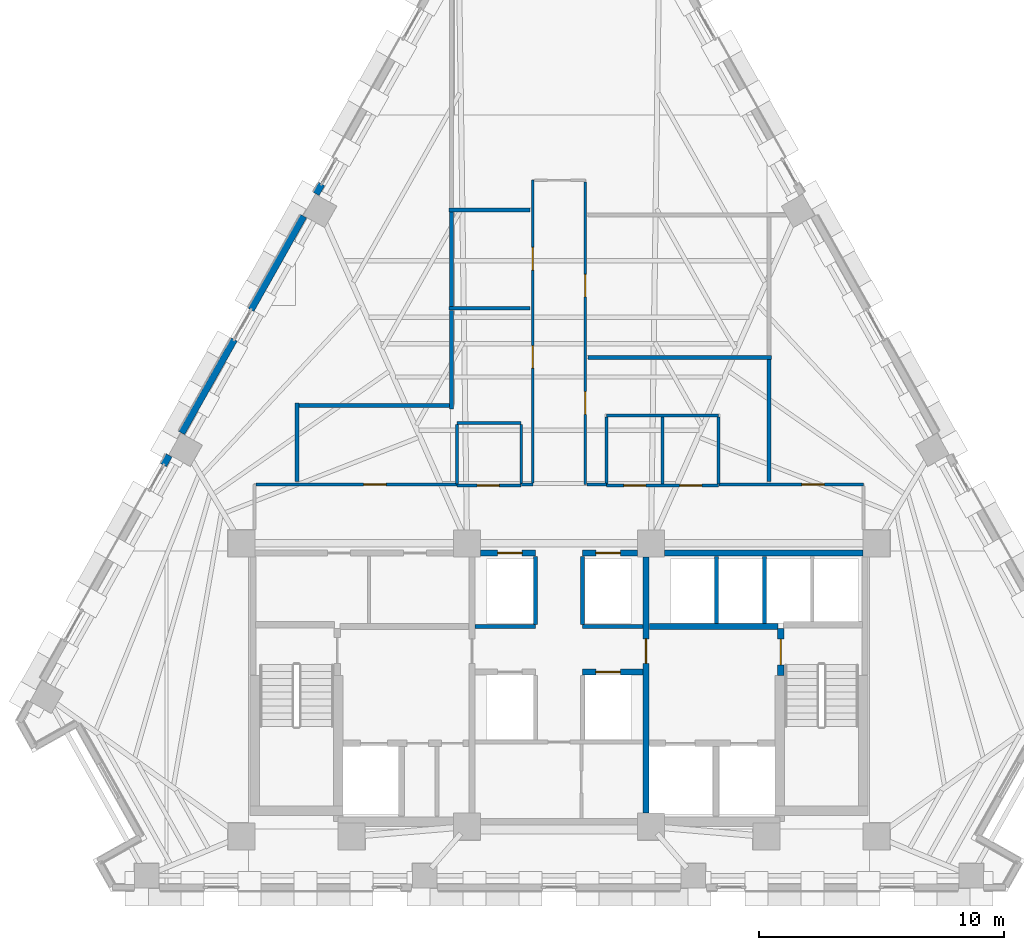
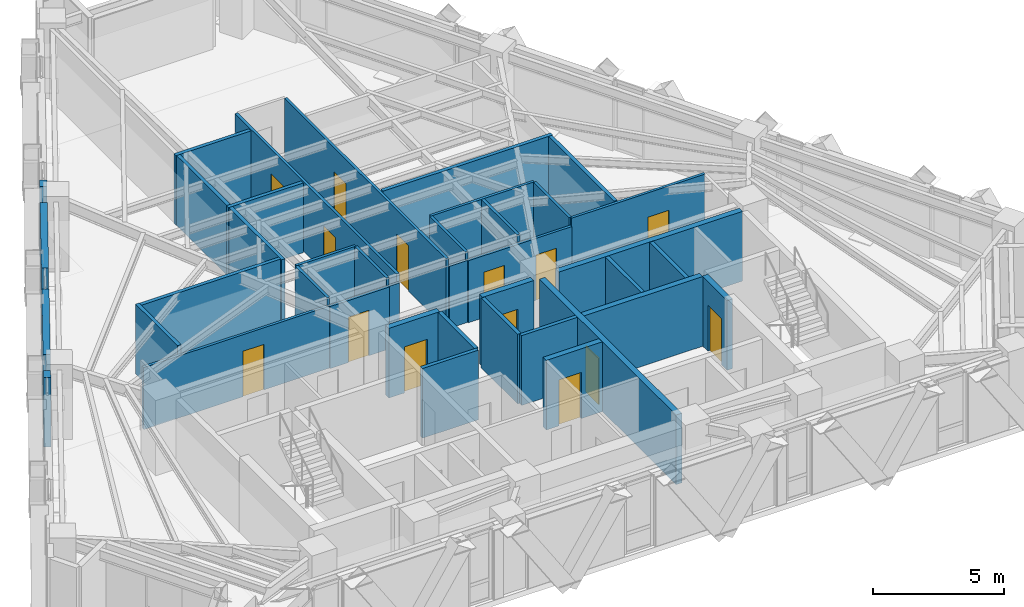
# One storey, part 8 of 13: 40 walls, 14 doors, 14 openings.
"""IFC4 building model written with IfcOpenShell, lengths in metres."""

from ifc_helpers import new_model, si_unit, direction, frame, frame_2d, origin, place, context, subcontext, project, spatial, rectangle, extrude, material, layer, layer_set, type_object, element, fill, save


model = new_model("IFC4")

# Units and contexts
model_context = context("Model", 3, precision=1e-05, world=origin(), true_north=direction((0.0, 1.0)))
body_context = subcontext(model_context, "Body", "Model", "MODEL_VIEW")
ifc_project = project(units=[si_unit("LENGTHUNIT", "METRE"), si_unit("AREAUNIT", "SQUARE_METRE"), si_unit("VOLUMEUNIT", "CUBIC_METRE"), si_unit("PLANEANGLEUNIT", "RADIAN"), si_unit("MASSUNIT", "GRAM", prefix="KILO")], contexts=[model_context])

# Site, building, storey
site_placement = place(None, origin())
site = spatial("IfcSite", under=ifc_project, at=site_placement, CompositionType="ELEMENT")
building_placement = place(site_placement, origin())
building = spatial("IfcBuilding", under=site, at=building_placement, Name="Quenlor Broadcast Tower", CompositionType="ELEMENT")
storey_placement = place(building_placement, frame((0.0, 0.0, 151.0)))
storey = spatial("IfcBuildingStorey", under=building, at=storey_placement, Name="L41", CompositionType="ELEMENT", Elevation=151.0)

# Wall, opening, door
ifc_material_1 = material(Name="Concrete C40/50", Category="concrete")
ifc_layer_1 = layer(ifc_material_1, 0.25)
ifc_layer_set_1 = layer_set([ifc_layer_1], Name="Fire Rated Concrete C40/50 Core Wall 250")
wall_type_1 = type_object("IfcWallType", Name="Fire Rated Concrete C40/50 Core Wall 250", PredefinedType="PARTITIONING", material=ifc_layer_set_1)
wall_1_placement = place(storey_placement, frame((9.0400390625, -10.179931640625, 0.0), z_axis=(0.0, 0.0, 1.0), x_axis=(0.0, 1.0, 0.0)))
wall_1 = element("IfcWall", 1, at=wall_1_placement, inside=storey, type_object=wall_type_1, Name="L41 Interior Wall CW-ST2-DR", PredefinedType="PARTITIONING", context=body_context, shape_type="SweptSolid", body=[
    extrude(rectangle(XDim=1.89990234375, YDim=0.25, at=frame_2d((0.949951171875, 0.0))), origin(), (0.0, 0.0, 1.0), 3.25),
])
opening_1_placement = place(wall_1_placement, frame((0.419921875, 0.0, 0.0)))
opening_1 = element("IfcOpeningElement", 2, at=opening_1_placement, cuts=wall_1, Name="Opening FD-1", PredefinedType="OPENING", context=body_context, shape_type="SweptSolid", body=[
    extrude(rectangle(XDim=1.050048828125, YDim=2.14990234375, at=frame_2d((0.52490234375, 1.074951171875))), frame((0.0, 0.135009765625, 0.0), z_axis=(0.0, -1.0, 0.0), x_axis=(1.0, 0.0, 0.0)), (0.0, 0.0, 1.0), 0.27001953125),
])
ifc_material_2 = material(Name="Fire Rated Steel Door Leaf", Category="steel")
door_type_1 = type_object("IfcDoorType", Name="Fire Isolated Stair Door 1050x2150", OperationType="NOTDEFINED", PredefinedType="DOOR", material=ifc_material_2)
door_1_placement = place(opening_1_placement, origin())
door_1 = element("IfcDoor", 3, at=door_1_placement, inside=storey, type_object=door_type_1, Name="L41 Door DR-ST2", OperationType="SINGLE_SWING_RIGHT", OverallHeight=2.14990234375, OverallWidth=1.050048828125, PredefinedType="DOOR", context=body_context, shape_type="SweptSolid", body=[
    extrude(rectangle(XDim=1.050048828125, YDim=2.14990234375, at=frame_2d((0.52490234375, 1.074951171875))), frame((0.0, 0.02490234375, 0.0), z_axis=(0.0, -1.0, 0.0), x_axis=(1.0, 0.0, 0.0)), (0.0, 0.0, 1.0), 0.050048828125),
])
fill(opening_1, door_1)

# Wall
wall_2_placement = place(storey_placement, frame((3.679931640625, -8.199951171875, 0.0), z_axis=(0.0, 0.0, 1.0), x_axis=(1.0, 0.0, 0.0)))
element("IfcWall", 4, at=wall_2_placement, inside=storey, type_object=wall_type_1, Name="L41 Interior Wall CW-FFE-N", PredefinedType="PARTITIONING", context=body_context, shape_type="SweptSolid", body=[
    extrude(rectangle(XDim=5.239990234375, YDim=0.25, at=frame_2d((2.6201171875, 0.0))), origin(), (0.0, 0.0, 1.0), 3.25),
])

# Wall, opening, door
wall_3_placement = place(storey_placement, frame((3.550048828125, -15.798095703125, 0.0), z_axis=(0.0, 0.0, 1.0), x_axis=(0.0, 1.0, 0.0)))
wall_3 = element("IfcWall", 5, at=wall_3_placement, inside=storey, type_object=wall_type_1, Name="L41 Interior Wall CW-FFE-W", PredefinedType="PARTITIONING", context=body_context, shape_type="SweptSolid", body=[
    extrude(rectangle(XDim=10.446044921875, YDim=0.25, at=frame_2d((5.22314453125, 0.0))), origin(), (0.0, 0.0, 1.0), 3.25),
])
opening_2_placement = place(wall_3_placement, frame((6.097900390625, 0.0, 0.0)))
opening_2 = element("IfcOpeningElement", 6, at=opening_2_placement, cuts=wall_3, Name="Opening FD-2", PredefinedType="OPENING", context=body_context, shape_type="SweptSolid", body=[
    extrude(rectangle(XDim=1.0, YDim=2.14990234375, at=frame_2d((0.5, 1.074951171875))), frame((0.0, 0.135009765625, 0.0), z_axis=(0.0, -1.0, 0.0), x_axis=(1.0, 0.0, 0.0)), (0.0, 0.0, 1.0), 0.27001953125),
])
ifc_material_3 = material(Name="Fire Rated Glazed Steel Door", Category="steel")
door_type_2 = type_object("IfcDoorType", Name="Firefighting Lobby Smoke Door 1000x2150", OperationType="NOTDEFINED", PredefinedType="DOOR", material=ifc_material_3)
door_2_placement = place(opening_2_placement, origin())
door_2 = element("IfcDoor", 7, at=door_2_placement, inside=storey, type_object=door_type_2, Name="L41 Door DR-FFLE", OperationType="SINGLE_SWING_LEFT", OverallHeight=2.14990234375, OverallWidth=1.0, PredefinedType="DOOR", context=body_context, shape_type="SweptSolid", body=[
    extrude(rectangle(XDim=1.0, YDim=2.14990234375, at=frame_2d((0.5, 1.074951171875))), frame((0.0, 0.02490234375, 0.0), z_axis=(0.0, -1.0, 0.0), x_axis=(1.0, 0.0, 0.0)), (0.0, 0.0, 1.0), 0.050048828125),
])
fill(opening_2, door_2)

# Wall
wall_4_placement = place(storey_placement, frame((4.302001953125, -5.199951171875, 0.0), z_axis=(0.0, 0.0, 1.0), x_axis=(1.0, 0.0, 0.0)))
element("IfcWall", 8, at=wall_4_placement, inside=storey, type_object=wall_type_1, Name="L41 Interior Wall CW-N-E", PredefinedType="PARTITIONING", context=body_context, shape_type="SweptSolid", body=[
    extrude(rectangle(XDim=8.095947265625, YDim=0.25, at=frame_2d((4.0478515625, 0.0))), origin(), (0.0, 0.0, 1.0), 3.25),
])

# Wall, opening, door
wall_5_placement = place(storey_placement, frame((-3.197998046875, -5.199951171875, 0.0), z_axis=(0.0, 0.0, 1.0), x_axis=(1.0, 0.0, 0.0)))
wall_5 = element("IfcWall", 9, at=wall_5_placement, inside=storey, type_object=wall_type_1, Name="L41 Interior Wall CW-N-M1", PredefinedType="PARTITIONING", context=body_context, shape_type="SweptSolid", body=[
    extrude(rectangle(XDim=2.248046875, YDim=0.25, at=frame_2d((1.1240234375, 0.0))), origin(), (0.0, 0.0, 1.0), 3.25),
])
opening_3_placement = place(wall_5_placement, frame((0.697998046875, 0.0, 0.0)))
opening_3 = element("IfcOpeningElement", 10, at=opening_3_placement, cuts=wall_5, Name="Opening LD-PL-M1", PredefinedType="OPENING", context=body_context, shape_type="SweptSolid", body=[
    extrude(rectangle(XDim=1.0, YDim=2.14990234375, at=frame_2d((0.5, 1.074951171875))), frame((0.0, 0.135009765625, 0.0), z_axis=(0.0, -1.0, 0.0), x_axis=(1.0, 0.0, 0.0)), (0.0, 0.0, 1.0), 0.27001953125),
])
ifc_material_4 = material(Name="Brushed Stainless Steel", Category="steel")
door_type_3 = type_object("IfcDoorType", Name="Passenger Lift Sliding Landing Door 1000x2150", OperationType="NOTDEFINED", PredefinedType="DOOR", material=ifc_material_4)
door_3_placement = place(opening_3_placement, origin())
door_3 = element("IfcDoor", 11, at=door_3_placement, inside=storey, type_object=door_type_3, Name="L41 Door LD-PL-M1", OperationType="SLIDING_TO_LEFT", OverallHeight=2.14990234375, OverallWidth=1.0, PredefinedType="DOOR", context=body_context, shape_type="SweptSolid", body=[
    extrude(rectangle(XDim=1.0, YDim=2.14990234375, at=frame_2d((0.5, 1.074951171875))), frame((0.0, 0.02490234375, 0.0), z_axis=(0.0, -1.0, 0.0), x_axis=(1.0, 0.0, 0.0)), (0.0, 0.0, 1.0), 0.050048828125),
])
fill(opening_3, door_3)

wall_6_placement = place(storey_placement, frame((0.949951171875, -5.199951171875, 0.0), z_axis=(0.0, 0.0, 1.0), x_axis=(1.0, 0.0, 0.0)))
wall_6 = element("IfcWall", 12, at=wall_6_placement, inside=storey, type_object=wall_type_1, Name="L41 Interior Wall CW-N-M2", PredefinedType="PARTITIONING", context=body_context, shape_type="SweptSolid", body=[
    extrude(rectangle(XDim=2.248046875, YDim=0.25, at=frame_2d((1.1240234375, 0.0))), origin(), (0.0, 0.0, 1.0), 3.25),
])
opening_4_placement = place(wall_6_placement, frame((0.550048828125, 0.0, 0.0)))
opening_4 = element("IfcOpeningElement", 13, at=opening_4_placement, cuts=wall_6, Name="Opening LD-PL-M2", PredefinedType="OPENING", context=body_context, shape_type="SweptSolid", body=[
    extrude(rectangle(XDim=1.0, YDim=2.14990234375, at=frame_2d((0.5, 1.074951171875))), frame((0.0, 0.135009765625, 0.0), z_axis=(0.0, -1.0, 0.0), x_axis=(1.0, 0.0, 0.0)), (0.0, 0.0, 1.0), 0.27001953125),
])
door_4_placement = place(opening_4_placement, origin())
door_4 = element("IfcDoor", 14, at=door_4_placement, inside=storey, type_object=door_type_3, Name="L41 Door LD-PL-M2", OperationType="SLIDING_TO_RIGHT", OverallHeight=2.14990234375, OverallWidth=1.0, PredefinedType="DOOR", context=body_context, shape_type="SweptSolid", body=[
    extrude(rectangle(XDim=1.0, YDim=2.14990234375, at=frame_2d((0.5, 1.074951171875))), frame((0.0, 0.02490234375, 0.0), z_axis=(0.0, -1.0, 0.0), x_axis=(1.0, 0.0, 0.0)), (0.0, 0.0, 1.0), 0.050048828125),
])
fill(opening_4, door_4)

wall_7_placement = place(storey_placement, frame((0.949951171875, -10.050048828125, 0.0), z_axis=(0.0, 0.0, 1.0), x_axis=(1.0, 0.0, 0.0)))
wall_7 = element("IfcWall", 15, at=wall_7_placement, inside=storey, type_object=wall_type_1, Name="L41 Interior Wall CW-MS-N2", PredefinedType="PARTITIONING", context=body_context, shape_type="SweptSolid", body=[
    extrude(rectangle(XDim=2.469970703125, YDim=0.25, at=frame_2d((1.23486328125, 0.0))), origin(), (0.0, 0.0, 1.0), 3.25),
])
opening_5_placement = place(wall_7_placement, frame((0.550048828125, 0.0, 0.0)))
opening_5 = element("IfcOpeningElement", 16, at=opening_5_placement, cuts=wall_7, Name="Opening LD-PL-M4", PredefinedType="OPENING", context=body_context, shape_type="SweptSolid", body=[
    extrude(rectangle(XDim=1.0, YDim=2.14990234375, at=frame_2d((0.5, 1.074951171875))), frame((0.0, 0.135009765625, 0.0), z_axis=(0.0, -1.0, 0.0), x_axis=(1.0, 0.0, 0.0)), (0.0, 0.0, 1.0), 0.27001953125),
])
door_5_placement = place(opening_5_placement, origin())
door_5 = element("IfcDoor", 17, at=door_5_placement, inside=storey, type_object=door_type_3, Name="L41 Door LD-PL-M4", OperationType="SLIDING_TO_RIGHT", OverallHeight=2.14990234375, OverallWidth=1.0, PredefinedType="DOOR", context=body_context, shape_type="SweptSolid", body=[
    extrude(rectangle(XDim=1.0, YDim=2.14990234375, at=frame_2d((0.5, 1.074951171875))), frame((0.0, 0.02490234375, 0.0), z_axis=(0.0, -1.0, 0.0), x_axis=(1.0, 0.0, 0.0)), (0.0, 0.0, 1.0), 0.050048828125),
])
fill(opening_5, door_5)

# Walls
ifc_material_5 = material(Name="Gypsum Fireboard Partition", Category="other")
ifc_layer_2 = layer(ifc_material_5, 0.159912109375)
ifc_layer_set_2 = layer_set([ifc_layer_2], Name="Fire Rated Shaft and Corridor Partition 160")
wall_type_2 = type_object("IfcWallType", Name="Fire Rated Shaft and Corridor Partition 160", PredefinedType="PARTITIONING", material=ifc_layer_set_2)
for number, where, z_axis, x_axis, name in (
    (18, (6.425048828125, -8.072998046875, 0.0), (0.0, 0.0, 1.0), (0.0, 1.0, 0.0), "L41 Interior Wall CW-PLH-D1"),
    (19, (8.375, -8.072998046875, 0.0), (0.0, 0.0, 1.0), (0.0, 1.0, 0.0), "L41 Interior Wall CW-PLH-D2"),
):
    element("IfcWall", number, at=place(storey_placement, frame(where, z_axis=z_axis, x_axis=x_axis)), inside=storey, type_object=wall_type_2, Name=name, PredefinedType="PARTITIONING", context=body_context, shape_type="SweptSolid", body=[
        extrude(rectangle(XDim=2.73291015625, YDim=0.159912109375, at=frame_2d((1.366455078125, 0.0))), origin(), (0.0, 0.0, 1.0), 3.25),
    ])
for number, where, z_axis, x_axis, name in (
    (20, (-0.949951171875, -8.1201171875, 0.0), (0.0, 0.0, 1.0), (0.0, 1.0, 0.0), "L41 Interior Wall CW-CCRP-W"),
    (21, (0.949951171875, -8.1201171875, 0.0), (0.0, 0.0, 1.0), (0.0, 1.0, 0.0), "L41 Interior Wall CW-CCRP-E"),
):
    element("IfcWall", number, at=place(storey_placement, frame(where, z_axis=z_axis, x_axis=x_axis)), inside=storey, type_object=wall_type_2, Name=name, PredefinedType="PARTITIONING", context=body_context, shape_type="SweptSolid", body=[
        extrude(rectangle(XDim=2.780029296875, YDim=0.159912109375, at=frame_2d((1.39013671875, 0.0))), origin(), (0.0, 0.0, 1.0), 3.25),
    ])
for number, where, z_axis, x_axis, name in (
    (22, (-3.419921875, -8.199951171875, 0.0), (0.0, 0.0, 1.0), (1.0, 0.0, 0.0), "L41 Interior Wall CW-M-BACK1"),
    (23, (0.949951171875, -8.199951171875, 0.0), (0.0, 0.0, 1.0), (1.0, 0.0, 0.0), "L41 Interior Wall CW-M-BACK2"),
):
    element("IfcWall", number, at=place(storey_placement, frame(where, z_axis=z_axis, x_axis=x_axis)), inside=storey, type_object=wall_type_2, Name=name, PredefinedType="PARTITIONING", context=body_context, shape_type="SweptSolid", body=[
        extrude(rectangle(XDim=2.469970703125, YDim=0.159912109375, at=frame_2d((1.23486328125, 0.0))), origin(), (0.0, 0.0, 1.0), 3.25),
    ])
for number, where, z_axis, x_axis, name in (
    (24, (-1.179931640625, 8.780029296875, 0.0), (0.0, 0.0, 1.0), (-1.0, 0.0, 0.0), "L41 Interior Wall PW-DV-01"),
    (25, (-1.179931640625, 4.780029296875, 0.0), (0.0, 0.0, 1.0), (-1.0, 0.0, 0.0), "L41 Interior Wall PW-DV-04"),
):
    element("IfcWall", number, at=place(storey_placement, frame(where, z_axis=z_axis, x_axis=x_axis)), inside=storey, type_object=wall_type_2, Name=name, PredefinedType="PARTITIONING", context=body_context, shape_type="SweptSolid", body=[
        extrude(rectangle(XDim=3.300048828125, YDim=0.159912109375, at=frame_2d((1.64990234375, 0.0))), origin(), (0.0, 0.0, 1.0), 3.25),
    ])
wall_8_placement = place(storey_placement, frame((-4.3798828125, 4.862060546875, 0.0), z_axis=(0.0, 0.0, 1.0), x_axis=(0.0, 1.0, 0.0)))
element("IfcWall", 26, at=wall_8_placement, inside=storey, type_object=wall_type_2, Name="L41 Interior Wall PW-DV-05", PredefinedType="PARTITIONING", context=body_context, shape_type="SweptSolid", body=[
    extrude(rectangle(XDim=3.8359375, YDim=0.159912109375, at=frame_2d((1.91796875, 0.0))), origin(), (0.0, 0.0, 1.0), 3.25),
])
wall_9_placement = place(storey_placement, frame((8.659912109375, 2.780029296875, 0.0), z_axis=(0.0, 0.0, 1.0), x_axis=(-1.0, 0.0, 0.0)))
element("IfcWall", 27, at=wall_9_placement, inside=storey, type_object=wall_type_2, Name="L41 Interior Wall PW-DV-06", PredefinedType="PARTITIONING", context=body_context, shape_type="SweptSolid", body=[
    extrude(rectangle(XDim=7.47998046875, YDim=0.159912109375, at=frame_2d((3.739990234375, 0.0))), origin(), (0.0, 0.0, 1.0), 3.25),
])
wall_10_placement = place(storey_placement, frame((-4.3798828125, 0.679931640625, 0.0), z_axis=(0.0, 0.0, 1.0), x_axis=(0.0, 1.0, 0.0)))
element("IfcWall", 28, at=wall_10_placement, inside=storey, type_object=wall_type_2, Name="L41 Interior Wall PW-DV-08", PredefinedType="PARTITIONING", context=body_context, shape_type="SweptSolid", body=[
    extrude(rectangle(XDim=4.01806640625, YDim=0.159912109375, at=frame_2d((2.009033203125, 0.0))), origin(), (0.0, 0.0, 1.0), 3.25),
])
wall_11_placement = place(storey_placement, frame((8.56005859375, 2.697998046875, 0.0), z_axis=(0.0, 0.0, 1.0), x_axis=(0.0, -1.0, 0.0)))
element("IfcWall", 29, at=wall_11_placement, inside=storey, type_object=wall_type_2, Name="L41 Interior Wall PW-DV-09", PredefinedType="PARTITIONING", context=body_context, shape_type="SweptSolid", body=[
    extrude(rectangle(XDim=4.988037109375, YDim=0.159912109375, at=frame_2d((2.494140625, 0.0))), origin(), (0.0, 0.0, 1.0), 3.25),
])
wall_12_placement = place(storey_placement, frame((-10.679931640625, -2.2900390625, 0.0), z_axis=(0.0, 0.0, 1.0), x_axis=(0.0, 1.0, 0.0)))
element("IfcWall", 30, at=wall_12_placement, inside=storey, type_object=wall_type_2, Name="L41 Interior Wall PW-DV-10", PredefinedType="PARTITIONING", context=body_context, shape_type="SweptSolid", body=[
    extrude(rectangle(XDim=3.2099609375, YDim=0.159912109375, at=frame_2d((1.60498046875, 0.0))), origin(), (0.0, 0.0, 1.0), 3.25),
])
wall_13_placement = place(storey_placement, frame((-10.597900390625, 0.820068359375, 0.0), z_axis=(0.0, 0.0, 1.0), x_axis=(1.0, 0.0, 0.0)))
element("IfcWall", 31, at=wall_13_placement, inside=storey, type_object=wall_type_2, Name="L41 Interior Wall PW-DV-11", PredefinedType="PARTITIONING", context=body_context, shape_type="SweptSolid", body=[
    extrude(rectangle(XDim=6.135986328125, YDim=0.159912109375, at=frame_2d((3.06787109375, 0.0))), origin(), (0.0, 0.0, 1.0), 3.25),
])

# Wall, opening, door
ifc_material_6 = material(Name="Gypsum Plasterboard Partition", Category="other")
ifc_layer_3 = layer(ifc_material_6, 0.1201171875)
ifc_layer_set_3 = layer_set([ifc_layer_3], Name="Standard Office Partition 120")
wall_type_3 = type_object("IfcWallType", Name="Standard Office Partition 120", PredefinedType="PARTITIONING", material=ifc_layer_set_3)
wall_14_placement = place(storey_placement, frame((-4.159912109375, -2.43994140625, 0.0), z_axis=(0.0, 0.0, 1.0), x_axis=(1.0, 0.0, 0.0)))
wall_14 = element("IfcWall", 32, at=wall_14_placement, inside=storey, type_object=wall_type_3, Name="L41 Interior Wall PW-AWC-S", PredefinedType="PARTITIONING", context=body_context, shape_type="SweptSolid", body=[
    extrude(rectangle(XDim=2.619873046875, YDim=0.1201171875, at=frame_2d((1.31005859375, 0.0))), origin(), (0.0, 0.0, 1.0), 2.891357421875),
])
opening_6_placement = place(wall_14_placement, frame((0.820068359375, 0.0, 0.0)))
opening_6 = element("IfcOpeningElement", 33, at=opening_6_placement, cuts=wall_14, Name="Opening ID-3", PredefinedType="OPENING", context=body_context, shape_type="SweptSolid", body=[
    extrude(rectangle(XDim=0.89990234375, YDim=2.1201171875, at=frame_2d((0.449951171875, 1.06005859375))), frame((0.0, 0.070068359375, 0.0), z_axis=(0.0, -1.0, 0.0), x_axis=(1.0, 0.0, 0.0)), (0.0, 0.0, 1.0), 0.14013671875),
])
ifc_material_7 = material(Name="Moisture Resistant Timber Oak", Category="wood")
door_type_4 = type_object("IfcDoorType", Name="Washroom Privacy Door 900x2120", OperationType="NOTDEFINED", PredefinedType="DOOR", material=ifc_material_7)
door_6_placement = place(opening_6_placement, origin())
door_6 = element("IfcDoor", 34, at=door_6_placement, inside=storey, type_object=door_type_4, Name="L41 Door DR-AWC", OperationType="SINGLE_SWING_LEFT", OverallHeight=2.1201171875, OverallWidth=0.89990234375, PredefinedType="DOOR", context=body_context, shape_type="SweptSolid", body=[
    extrude(rectangle(XDim=0.89990234375, YDim=2.1201171875, at=frame_2d((0.449951171875, 1.06005859375))), frame((0.0, 0.02490234375, 0.0), z_axis=(0.0, -1.0, 0.0), x_axis=(1.0, 0.0, 0.0)), (0.0, 0.0, 1.0), 0.050048828125),
])
fill(opening_6, door_6)

# Walls
wall_15_placement = place(storey_placement, frame((-4.159912109375, 0.110107421875, 0.0), z_axis=(0.0, 0.0, 1.0), x_axis=(1.0, 0.0, 0.0)))
element("IfcWall", 35, at=wall_15_placement, inside=storey, type_object=wall_type_3, Name="L41 Interior Wall PW-AWC-N", PredefinedType="PARTITIONING", context=body_context, shape_type="SweptSolid", body=[
    extrude(rectangle(XDim=2.619873046875, YDim=0.1201171875, at=frame_2d((1.31005859375, 0.0))), origin(), (0.0, 0.0, 1.0), 3.25),
])
for number, where, z_axis, x_axis, name in (
    (36, (-4.159912109375, -2.3779296875, 0.0), (0.0, 0.0, 1.0), (0.0, 1.0, 0.0), "L41 Interior Wall PW-AWC-W"),
    (37, (-1.5400390625, -2.3779296875, 0.0), (0.0, 0.0, 1.0), (0.0, 1.0, 0.0), "L41 Interior Wall PW-AWC-E"),
):
    element("IfcWall", number, at=place(storey_placement, frame(where, z_axis=z_axis, x_axis=x_axis)), inside=storey, type_object=wall_type_3, Name=name, PredefinedType="PARTITIONING", context=body_context, shape_type="SweptSolid", body=[
        extrude(rectangle(XDim=2.426025390625, YDim=0.1201171875, at=frame_2d((1.212890625, 0.0))), origin(), (0.0, 0.0, 1.0), 3.25),
    ])

# Wall, openings, doors
wall_16_placement = place(storey_placement, frame((1.93994140625, -2.43994140625, 0.0), z_axis=(0.0, 0.0, 1.0), x_axis=(1.0, 0.0, 0.0)))
wall_16 = element("IfcWall", 38, at=wall_16_placement, inside=storey, type_object=wall_type_3, Name="L41 Interior Wall PW-WC-S", PredefinedType="PARTITIONING", context=body_context, shape_type="SweptSolid", body=[
    extrude(rectangle(XDim=4.570068359375, YDim=0.1201171875, at=frame_2d((2.28515625, 0.0))), origin(), (0.0, 0.0, 1.0), 2.891357421875),
])
opening_7_placement = place(wall_16_placement, frame((0.699951171875, 0.0, 0.0)))
opening_7 = element("IfcOpeningElement", 39, at=opening_7_placement, cuts=wall_16, Name="Opening ID-3", PredefinedType="OPENING", context=body_context, shape_type="SweptSolid", body=[
    extrude(rectangle(XDim=0.89990234375, YDim=2.1201171875, at=frame_2d((0.449951171875, 1.06005859375))), frame((0.0, 0.070068359375, 0.0), z_axis=(0.0, -1.0, 0.0), x_axis=(1.0, 0.0, 0.0)), (0.0, 0.0, 1.0), 0.14013671875),
])
opening_8_placement = place(wall_16_placement, frame((2.97998046875, 0.0, 0.0)))
opening_8 = element("IfcOpeningElement", 40, at=opening_8_placement, cuts=wall_16, Name="Opening ID-3", PredefinedType="OPENING", context=body_context, shape_type="SweptSolid", body=[
    extrude(rectangle(XDim=0.89990234375, YDim=2.1201171875, at=frame_2d((0.449951171875, 1.06005859375))), frame((0.0, 0.070068359375, 0.0), z_axis=(0.0, -1.0, 0.0), x_axis=(1.0, 0.0, 0.0)), (0.0, 0.0, 1.0), 0.14013671875),
])
door_7_placement = place(opening_7_placement, origin())
door_7 = element("IfcDoor", 41, at=door_7_placement, inside=storey, type_object=door_type_4, Name="L41 Door DR-MWC", OperationType="SINGLE_SWING_LEFT", OverallHeight=2.1201171875, OverallWidth=0.89990234375, PredefinedType="DOOR", context=body_context, shape_type="SweptSolid", body=[
    extrude(rectangle(XDim=0.89990234375, YDim=2.1201171875, at=frame_2d((0.449951171875, 1.06005859375))), frame((0.0, 0.02490234375, 0.0), z_axis=(0.0, -1.0, 0.0), x_axis=(1.0, 0.0, 0.0)), (0.0, 0.0, 1.0), 0.050048828125),
])
fill(opening_7, door_7)
door_8_placement = place(opening_8_placement, origin())
door_8 = element("IfcDoor", 42, at=door_8_placement, inside=storey, type_object=door_type_4, Name="L41 Door DR-FWC", OperationType="SINGLE_SWING_RIGHT", OverallHeight=2.1201171875, OverallWidth=0.89990234375, PredefinedType="DOOR", context=body_context, shape_type="SweptSolid", body=[
    extrude(rectangle(XDim=0.89990234375, YDim=2.1201171875, at=frame_2d((0.449951171875, 1.06005859375))), frame((0.0, 0.02490234375, 0.0), z_axis=(0.0, -1.0, 0.0), x_axis=(1.0, 0.0, 0.0)), (0.0, 0.0, 1.0), 0.050048828125),
])
fill(opening_8, door_8)

# Walls
wall_17_placement = place(storey_placement, frame((1.93994140625, 0.409912109375, 0.0), z_axis=(0.0, 0.0, 1.0), x_axis=(1.0, 0.0, 0.0)))
element("IfcWall", 43, at=wall_17_placement, inside=storey, type_object=wall_type_3, Name="L41 Interior Wall PW-WC-N", PredefinedType="PARTITIONING", context=body_context, shape_type="SweptSolid", body=[
    extrude(rectangle(XDim=4.570068359375, YDim=0.1201171875, at=frame_2d((2.28515625, 0.0))), origin(), (0.0, 0.0, 1.0), 3.25),
])
for number, where, z_axis, x_axis, name in (
    (44, (1.93994140625, -2.3779296875, 0.0), (0.0, 0.0, 1.0), (0.0, 1.0, 0.0), "L41 Interior Wall PW-WC-W"),
    (45, (4.219970703125, -2.3779296875, 0.0), (0.0, 0.0, 1.0), (0.0, 1.0, 0.0), "L41 Interior Wall PW-WC-M"),
    (46, (6.510009765625, -2.3779296875, 0.0), (0.0, 0.0, 1.0), (0.0, 1.0, 0.0), "L41 Interior Wall PW-WC-E"),
):
    element("IfcWall", number, at=place(storey_placement, frame(where, z_axis=z_axis, x_axis=x_axis)), inside=storey, type_object=wall_type_3, Name=name, PredefinedType="PARTITIONING", context=body_context, shape_type="SweptSolid", body=[
        extrude(rectangle(XDim=2.725830078125, YDim=0.1201171875, at=frame_2d((1.36279296875, 0.0))), origin(), (0.0, 0.0, 1.0), 3.25),
    ])

# Wall, opening, door
wall_18_placement = place(storey_placement, frame((-12.347900390625, -2.39990234375, 0.0), z_axis=(0.0, 0.0, 1.0), x_axis=(1.0, 0.0, 0.0)))
wall_18 = element("IfcWall", 47, at=wall_18_placement, inside=storey, type_object=wall_type_3, Name="L41 Interior Wall PW-CR-02", PredefinedType="PARTITIONING", context=body_context, shape_type="SweptSolid", body=[
    extrude(rectangle(XDim=8.185791015625, YDim=0.1201171875, at=frame_2d((4.0927734375, 0.0))), origin(), (0.0, 0.0, 1.0), 2.891357421875),
])
opening_9_placement = place(wall_18_placement, frame((4.3779296875, 0.0, 0.0)))
opening_9 = element("IfcOpeningElement", 48, at=opening_9_placement, cuts=wall_18, Name="Opening ID-1", PredefinedType="OPENING", context=body_context, shape_type="SweptSolid", body=[
    extrude(rectangle(XDim=0.919921875, YDim=2.1201171875, at=frame_2d((0.4599609375, 1.06005859375))), frame((0.0, 0.070068359375, 0.0), z_axis=(0.0, -1.0, 0.0), x_axis=(1.0, 0.0, 0.0)), (0.0, 0.0, 1.0), 0.14013671875),
])
ifc_material_8 = material(Name="Solid Core Timber Oak", Category="wood")
door_type_5 = type_object("IfcDoorType", Name="Single Leaf Timber Office Door 920x2120", OperationType="NOTDEFINED", PredefinedType="DOOR", material=ifc_material_8)
door_9_placement = place(opening_9_placement, origin())
door_9 = element("IfcDoor", 49, at=door_9_placement, inside=storey, type_object=door_type_5, Name="L41 Door DR-RM06", OperationType="SINGLE_SWING_LEFT", OverallHeight=2.1201171875, OverallWidth=0.919921875, PredefinedType="DOOR", context=body_context, shape_type="SweptSolid", body=[
    extrude(rectangle(XDim=0.919921875, YDim=2.1201171875, at=frame_2d((0.4599609375, 1.06005859375))), frame((0.0, 0.02490234375, 0.0), z_axis=(0.0, -1.0, 0.0), x_axis=(1.0, 0.0, 0.0)), (0.0, 0.0, 1.0), 0.050048828125),
])
fill(opening_9, door_9)

# Wall
wall_19_placement = place(storey_placement, frame((-1.5380859375, -2.39990234375, 0.0), z_axis=(0.0, 0.0, 1.0), x_axis=(1.0, 0.0, 0.0)))
element("IfcWall", 50, at=wall_19_placement, inside=storey, type_object=wall_type_3, Name="L41 Interior Wall PW-CR-02S2", PredefinedType="PARTITIONING", context=body_context, shape_type="SweptSolid", body=[
    extrude(rectangle(XDim=0.468017578125, YDim=0.1201171875, at=frame_2d((0.23388671875, 0.0))), origin(), (0.0, 0.0, 1.0), 2.891357421875),
])

# Wall, openings, doors
wall_20_placement = place(storey_placement, frame((-1.070068359375, -2.337890625, 0.0), z_axis=(0.0, 0.0, 1.0), x_axis=(0.0, 1.0, 0.0)))
wall_20 = element("IfcWall", 51, at=wall_20_placement, inside=storey, type_object=wall_type_3, Name="L41 Interior Wall PW-CR-03", PredefinedType="PARTITIONING", context=body_context, shape_type="SweptSolid", body=[
    extrude(rectangle(XDim=12.337890625, YDim=0.1201171875, at=frame_2d((6.1689453125, 0.0))), origin(), (0.0, 0.0, 1.0), 3.25),
])
opening_10_placement = place(wall_20_placement, frame((8.677978515625, 0.0, 0.0)))
opening_10 = element("IfcOpeningElement", 52, at=opening_10_placement, cuts=wall_20, Name="Opening ID-1", PredefinedType="OPENING", context=body_context, shape_type="SweptSolid", body=[
    extrude(rectangle(XDim=0.919921875, YDim=2.1201171875, at=frame_2d((0.4599609375, 1.06005859375))), frame((0.0, 0.070068359375, 0.0), z_axis=(0.0, -1.0, 0.0), x_axis=(1.0, 0.0, 0.0)), (0.0, 0.0, 1.0), 0.14013671875),
])
opening_11_placement = place(wall_20_placement, frame((4.677978515625, 0.0, 0.0)))
opening_11 = element("IfcOpeningElement", 53, at=opening_11_placement, cuts=wall_20, Name="Opening ID-1", PredefinedType="OPENING", context=body_context, shape_type="SweptSolid", body=[
    extrude(rectangle(XDim=0.919921875, YDim=2.1201171875, at=frame_2d((0.4599609375, 1.06005859375))), frame((0.0, 0.070068359375, 0.0), z_axis=(0.0, -1.0, 0.0), x_axis=(1.0, 0.0, 0.0)), (0.0, 0.0, 1.0), 0.14013671875),
])
door_10_placement = place(opening_10_placement, origin())
door_10 = element("IfcDoor", 54, at=door_10_placement, inside=storey, type_object=door_type_5, Name="L41 Door DR-RM02", OperationType="SINGLE_SWING_LEFT", OverallHeight=2.1201171875, OverallWidth=0.919921875, PredefinedType="DOOR", context=body_context, shape_type="SweptSolid", body=[
    extrude(rectangle(XDim=0.919921875, YDim=2.1201171875, at=frame_2d((0.4599609375, 1.06005859375))), frame((0.0, 0.02490234375, 0.0), z_axis=(0.0, -1.0, 0.0), x_axis=(1.0, 0.0, 0.0)), (0.0, 0.0, 1.0), 0.050048828125),
])
fill(opening_10, door_10)
door_11_placement = place(opening_11_placement, origin())
door_11 = element("IfcDoor", 55, at=door_11_placement, inside=storey, type_object=door_type_5, Name="L41 Door DR-RM04", OperationType="SINGLE_SWING_LEFT", OverallHeight=2.1201171875, OverallWidth=0.919921875, PredefinedType="DOOR", context=body_context, shape_type="SweptSolid", body=[
    extrude(rectangle(XDim=0.919921875, YDim=2.1201171875, at=frame_2d((0.4599609375, 1.06005859375))), frame((0.0, 0.02490234375, 0.0), z_axis=(0.0, -1.0, 0.0), x_axis=(1.0, 0.0, 0.0)), (0.0, 0.0, 1.0), 0.050048828125),
])
fill(opening_11, door_11)

wall_21_placement = place(storey_placement, frame((1.070068359375, 9.93798828125, 0.0), z_axis=(0.0, 0.0, 1.0), x_axis=(0.0, -1.0, 0.0)))
wall_21 = element("IfcWall", 56, at=wall_21_placement, inside=storey, type_object=wall_type_3, Name="L41 Interior Wall PW-CR-05", PredefinedType="PARTITIONING", context=body_context, shape_type="SweptSolid", body=[
    extrude(rectangle(XDim=12.337890625, YDim=0.1201171875, at=frame_2d((6.1689453125, 0.0))), origin(), (0.0, 0.0, 1.0), 3.25),
])
opening_12_placement = place(wall_21_placement, frame((3.778076171875, 0.0, 0.0)))
opening_12 = element("IfcOpeningElement", 57, at=opening_12_placement, cuts=wall_21, Name="Opening ID-1", PredefinedType="OPENING", context=body_context, shape_type="SweptSolid", body=[
    extrude(rectangle(XDim=0.919921875, YDim=2.1201171875, at=frame_2d((0.4599609375, 1.06005859375))), frame((0.0, 0.070068359375, 0.0), z_axis=(0.0, -1.0, 0.0), x_axis=(1.0, 0.0, 0.0)), (0.0, 0.0, 1.0), 0.14013671875),
])
opening_13_placement = place(wall_21_placement, frame((8.55908203125, 0.0, 0.0)))
opening_13 = element("IfcOpeningElement", 58, at=opening_13_placement, cuts=wall_21, Name="Opening ID-1", PredefinedType="OPENING", context=body_context, shape_type="SweptSolid", body=[
    extrude(rectangle(XDim=0.919921875, YDim=2.1201171875, at=frame_2d((0.4599609375, 1.06005859375))), frame((0.0, 0.070068359375, 0.0), z_axis=(0.0, -1.0, 0.0), x_axis=(1.0, 0.0, 0.0)), (0.0, 0.0, 1.0), 0.14013671875),
])
door_12_placement = place(opening_12_placement, origin())
door_12 = element("IfcDoor", 59, at=door_12_placement, inside=storey, type_object=door_type_5, Name="L41 Door DR-RM03", OperationType="SINGLE_SWING_RIGHT", OverallHeight=2.1201171875, OverallWidth=0.919921875, PredefinedType="DOOR", context=body_context, shape_type="SweptSolid", body=[
    extrude(rectangle(XDim=0.919921875, YDim=2.1201171875, at=frame_2d((0.4599609375, 1.06005859375))), frame((0.0, 0.02490234375, 0.0), z_axis=(0.0, -1.0, 0.0), x_axis=(1.0, 0.0, 0.0)), (0.0, 0.0, 1.0), 0.050048828125),
])
fill(opening_12, door_12)
door_13_placement = place(opening_13_placement, origin())
door_13 = element("IfcDoor", 60, at=door_13_placement, inside=storey, type_object=door_type_5, Name="L41 Door DR-RM05", OperationType="SINGLE_SWING_LEFT", OverallHeight=2.1201171875, OverallWidth=0.919921875, PredefinedType="DOOR", context=body_context, shape_type="SweptSolid", body=[
    extrude(rectangle(XDim=0.919921875, YDim=2.1201171875, at=frame_2d((0.4599609375, 1.06005859375))), frame((0.0, 0.02490234375, 0.0), z_axis=(0.0, -1.0, 0.0), x_axis=(1.0, 0.0, 0.0)), (0.0, 0.0, 1.0), 0.050048828125),
])
fill(opening_13, door_13)

# Wall
wall_22_placement = place(storey_placement, frame((1.132080078125, -2.39990234375, 0.0), z_axis=(0.0, 0.0, 1.0), x_axis=(1.0, 0.0, 0.0)))
element("IfcWall", 61, at=wall_22_placement, inside=storey, type_object=wall_type_3, Name="L41 Interior Wall PW-CR-06", PredefinedType="PARTITIONING", context=body_context, shape_type="SweptSolid", body=[
    extrude(rectangle(XDim=0.805908203125, YDim=0.1201171875, at=frame_2d((0.40283203125, 0.0))), origin(), (0.0, 0.0, 1.0), 2.891357421875),
])

# Wall, opening, door
wall_23_placement = place(storey_placement, frame((6.511962890625, -2.39990234375, 0.0), z_axis=(0.0, 0.0, 1.0), x_axis=(1.0, 0.0, 0.0)))
wall_23 = element("IfcWall", 62, at=wall_23_placement, inside=storey, type_object=wall_type_3, Name="L41 Interior Wall PW-CR-06S2", PredefinedType="PARTITIONING", context=body_context, shape_type="SweptSolid", body=[
    extrude(rectangle(XDim=5.89794921875, YDim=0.1201171875, at=frame_2d((2.948974609375, 0.0))), origin(), (0.0, 0.0, 1.0), 3.25),
])
opening_14_placement = place(wall_23_placement, frame((3.384033203125, 0.0, 0.0)))
opening_14 = element("IfcOpeningElement", 63, at=opening_14_placement, cuts=wall_23, Name="Opening ID-1", PredefinedType="OPENING", context=body_context, shape_type="SweptSolid", body=[
    extrude(rectangle(XDim=0.919921875, YDim=2.1201171875, at=frame_2d((0.4599609375, 1.06005859375))), frame((0.0, 0.070068359375, 0.0), z_axis=(0.0, -1.0, 0.0), x_axis=(1.0, 0.0, 0.0)), (0.0, 0.0, 1.0), 0.14013671875),
])
door_14_placement = place(opening_14_placement, origin())
door_14 = element("IfcDoor", 64, at=door_14_placement, inside=storey, type_object=door_type_5, Name="L41 Door DR-RM07", OperationType="SINGLE_SWING_RIGHT", OverallHeight=2.1201171875, OverallWidth=0.919921875, PredefinedType="DOOR", context=body_context, shape_type="SweptSolid", body=[
    extrude(rectangle(XDim=0.919921875, YDim=2.1201171875, at=frame_2d((0.4599609375, 1.06005859375))), frame((0.0, 0.02490234375, 0.0), z_axis=(0.0, -1.0, 0.0), x_axis=(1.0, 0.0, 0.0)), (0.0, 0.0, 1.0), 0.050048828125),
])
fill(opening_14, door_14)

# Walls
ifc_material_9 = material(Name="Precast concrete C40/50", Category="concrete")
ifc_layer_4 = layer(ifc_material_9, 0.280029296875)
ifc_layer_set_4 = layer_set([ifc_layer_4], Name="Terracotta Precast Concrete C40/50 Facade Wall 280")
wall_type_4 = type_object("IfcWallType", Name="Terracotta Precast Concrete C40/50 Facade Wall 280", PredefinedType="STANDARD", material=ifc_layer_set_4)
for number, where, z_axis, x_axis, name in (
    (65, (-16.120849609375, -1.6162109375, 0.0), (0.0, 0.0, 1.0), (0.490009165718, 0.871717280724, 0.0), "L41 Exterior Wall L41-NWA-SP3"),
    (66, (-9.899658203125, 9.44384765625, 0.0), (0.0, 0.0, 1.0), (0.490412424957, 0.871490478116, 0.0), "L41 Exterior Wall L41-NWC-SP1"),
):
    element("IfcWall", number, at=place(storey_placement, frame(where, z_axis=z_axis, x_axis=x_axis)), inside=storey, type_object=wall_type_4, Name=name, PredefinedType="STANDARD", context=body_context, shape_type="SweptSolid", body=[
        extrude(rectangle(XDim=0.4599609375, YDim=0.280029296875, at=frame_2d((0.22998046875, 0.0))), origin(), (0.0, 0.0, 1.0), 3.25),
    ])
wall_24_placement = place(storey_placement, frame((-15.383056640625, -0.3046875, 0.0), z_axis=(0.0, 0.0, 1.0), x_axis=(0.490232095789, 0.871591929895, 0.0)))
element("IfcWall", 67, at=wall_24_placement, inside=storey, type_object=wall_type_4, Name="L41 Exterior Wall L41-NW-SP1", PredefinedType="STANDARD", context=body_context, shape_type="SweptSolid", body=[
    extrude(rectangle(XDim=4.375, YDim=0.280029296875, at=frame_2d((2.1875, 0.0))), origin(), (0.0, 0.0, 1.0), 3.25),
])
wall_25_placement = place(storey_placement, frame((-12.556884765625, 4.7197265625, 0.0), z_axis=(0.0, 0.0, 1.0), x_axis=(0.490274486291, 0.871568085747, 0.0)))
element("IfcWall", 68, at=wall_25_placement, inside=storey, type_object=wall_type_4, Name="L41 Exterior Wall L41-NW-SP2", PredefinedType="STANDARD", context=body_context, shape_type="SweptSolid", body=[
    extrude(rectangle(XDim=4.375244140625, YDim=0.280029296875, at=frame_2d((2.1875, 0.0))), origin(), (0.0, 0.0, 1.0), 3.25),
])

save(model, "model.ifc")
